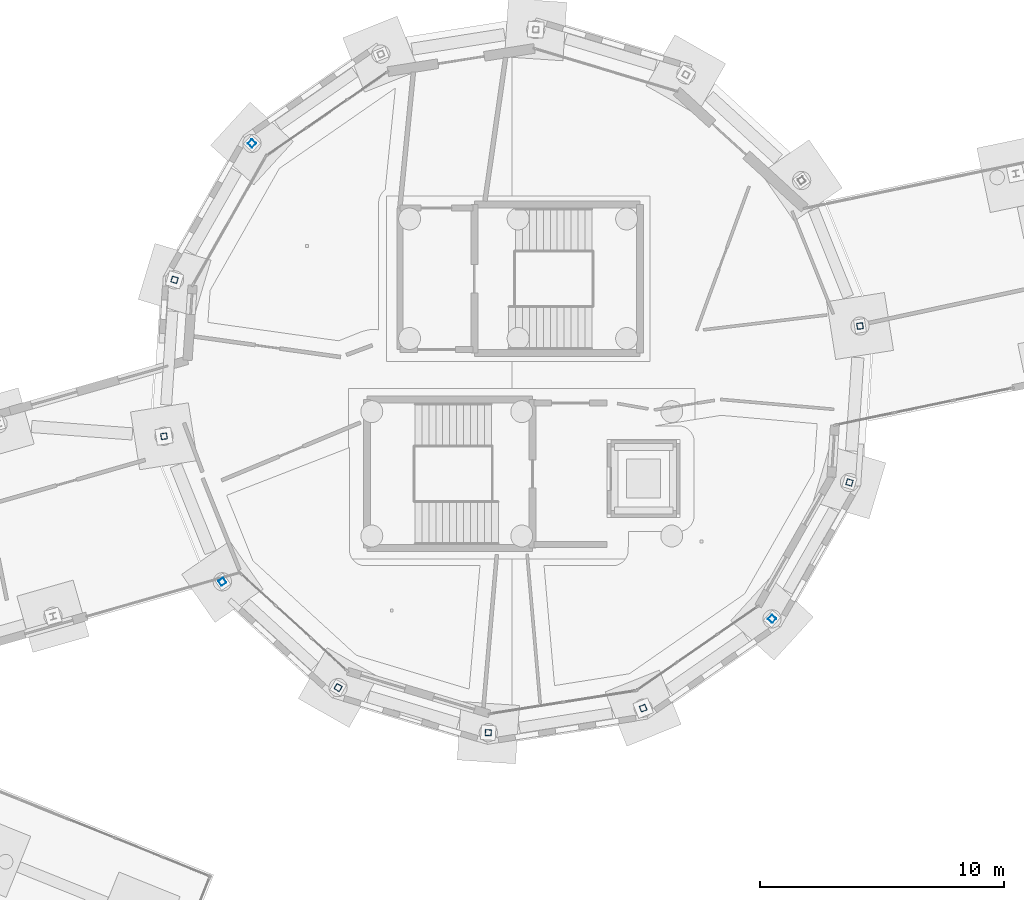
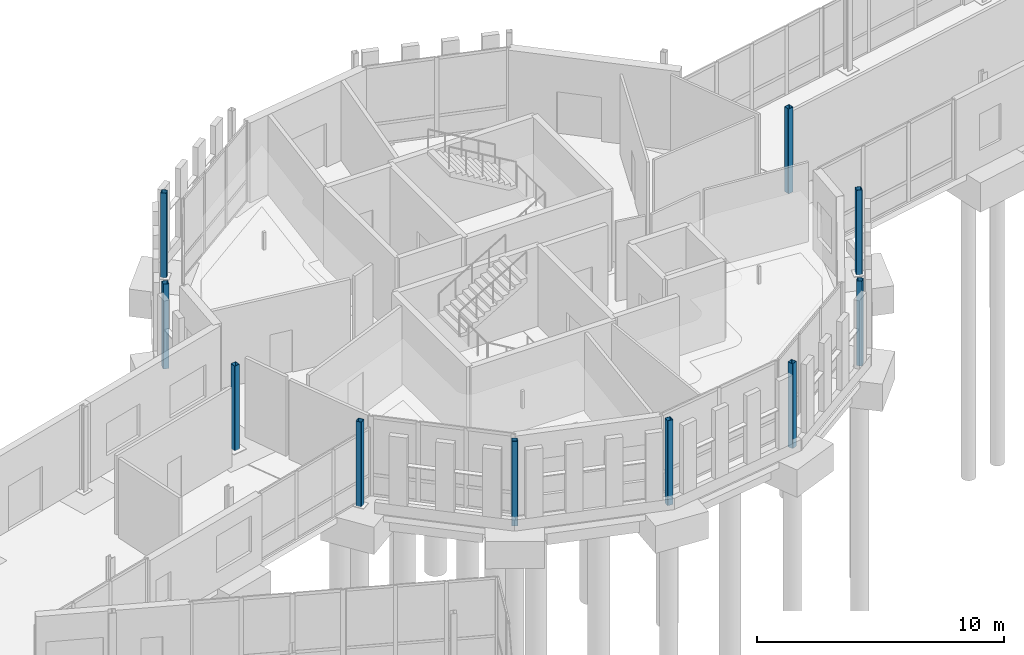
# One storey, part 18 of 113: 10 columns.
"""IFC4 building model written with IfcOpenShell, lengths in metres."""

from ifc_helpers import new_model, si_unit, direction, frame, origin, origin_2d, place, context, subcontext, project, spatial, hollow_rectangle, extrude, material, material_profile, profile_set, type_object, element, save


model = new_model("IFC4")

# Units and contexts
model_context = context("Model", 3, precision=1e-05, world=origin(), true_north=direction((0.0, 1.0)))
body_context = subcontext(model_context, "Body", "Model", "MODEL_VIEW")
ifc_project = project(units=[si_unit("LENGTHUNIT", "METRE"), si_unit("AREAUNIT", "SQUARE_METRE"), si_unit("VOLUMEUNIT", "CUBIC_METRE"), si_unit("PLANEANGLEUNIT", "RADIAN"), si_unit("MASSUNIT", "GRAM", prefix="KILO")], contexts=[model_context])

# Site, building, storey
site_placement = place(None, origin())
site = spatial("IfcSite", under=ifc_project, at=site_placement, CompositionType="ELEMENT")
building_placement = place(site_placement, origin())
building = spatial("IfcBuilding", under=site, at=building_placement, Name="Wrenclough Park School", CompositionType="ELEMENT")
storey_placement = place(building_placement, origin())
storey = spatial("IfcBuildingStorey", under=building, at=storey_placement, Name="L00", CompositionType="ELEMENT", Elevation=0.0)

# Columns
ifc_material = material(Name="Structural steel S355", Category="steel")
ifc_material_profile = material_profile(ifc_material, hollow_rectangle(XDim=0.25, YDim=0.25, WallThickness=0.012451171875, InnerFilletRadius=0.012451171875, OuterFilletRadius=0.018798828125, at=origin_2d()), Name="SHS 250x250x12.5")
ifc_profile_set = profile_set([ifc_material_profile], Name="Structural steel S355")
column_type = type_object("IfcColumnType", Name="STR-COL-SHS250", PredefinedType="COLUMN", material=ifc_profile_set)
for number, where, z_axis, x_axis, name in (
    (1, (97.272216796875, 110.760498046875, 0.0), (0.0, 0.0, 1.0), (-0.15643446504, 0.987688340595, 0.0), "D4 L00 column D4-OUT-01"),
    (2, (72.334228515625, 118.2490234375, 0.0), (0.0, 0.0, 1.0), (-0.674688949446, -0.738102175512, 0.0), "D4 L00 column D4-OUT-06"),
    (3, (69.160400390625, 112.65576171875, 0.0), (0.0, 0.0, 1.0), (-0.287527687034, -0.957772326385, 0.0), "D4 L00 column D4-OUT-07"),
    (4, (68.727783203125, 106.239501953125, 0.0), (0.0, 0.0, 1.0), (0.15643446504, -0.987688340595, 0.0), "D4 L00 column D4-OUT-08"),
    (5, (71.1220703125, 100.27099609375, 0.0), (0.0, 0.0, 1.0), (0.569423005964, -0.822044670489, 0.0), "D4 L00 column D4-OUT-09"),
    (6, (75.868896484375, 95.93212890625, 0.0), (0.0, 0.0, 1.0), (0.869753437661, -0.493486532416, 0.0), "D4 L00 column D4-OUT-10"),
    (7, (82.028076171875, 94.082763671875, 0.0), (0.0, 0.0, 1.0), (0.997731519333, -0.067318759124, 0.0), "D4 L00 column D4-OUT-11"),
    (8, (88.379638671875, 95.088623046875, 0.0), (0.0, 0.0, 1.0), (0.928096422365, 0.372339939832, 0.0), "D4 L00 column D4-OUT-12"),
    (9, (93.665771484375, 98.7509765625, 0.0), (0.0, 0.0, 1.0), (0.674688949446, 0.738102175512, 0.0), "D4 L00 column D4-OUT-13"),
    (10, (96.839599609375, 104.34423828125, 0.0), (0.0, 0.0, 1.0), (0.287527687034, 0.957772326385, 0.0), "D4 L00 column D4-OUT-14"),
):
    element("IfcColumn", number, at=place(storey_placement, frame(where, z_axis=z_axis, x_axis=x_axis)), inside=storey, type_object=column_type, Name=name, PredefinedType="COLUMN", context=body_context, shape_type="SweptSolid", body=[
        extrude(hollow_rectangle(XDim=0.25, YDim=0.25, WallThickness=0.012451171875, InnerFilletRadius=0.012451171875, OuterFilletRadius=0.018798828125, at=origin_2d()), origin(), (0.0, 0.0, 1.0), 4.199951171875),
    ])

save(model, "model.ifc")
